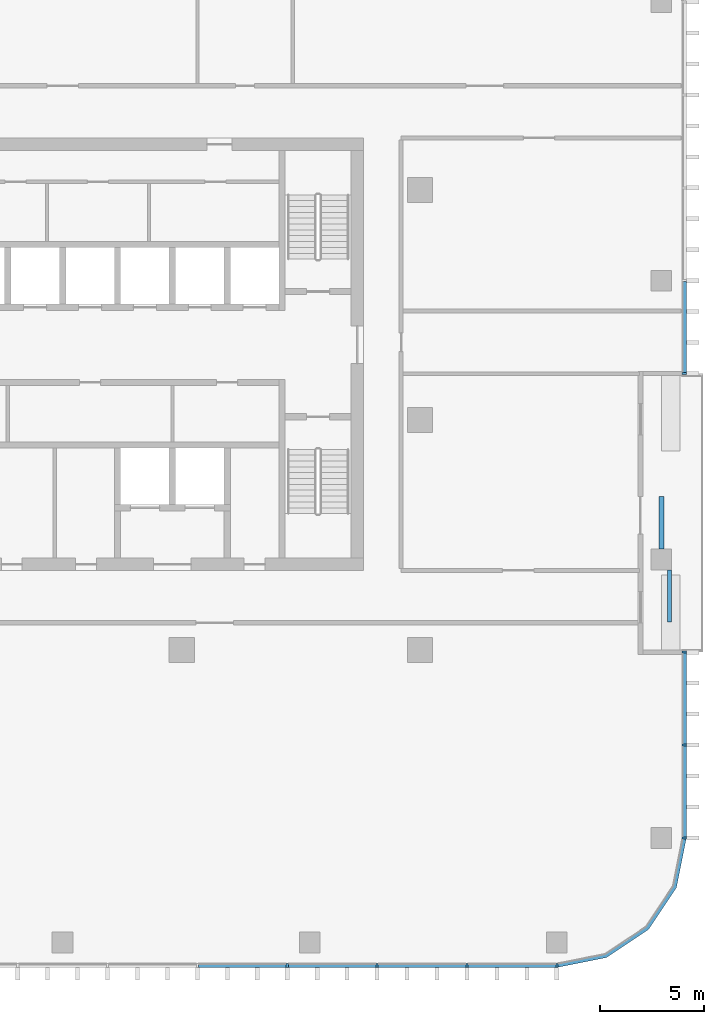
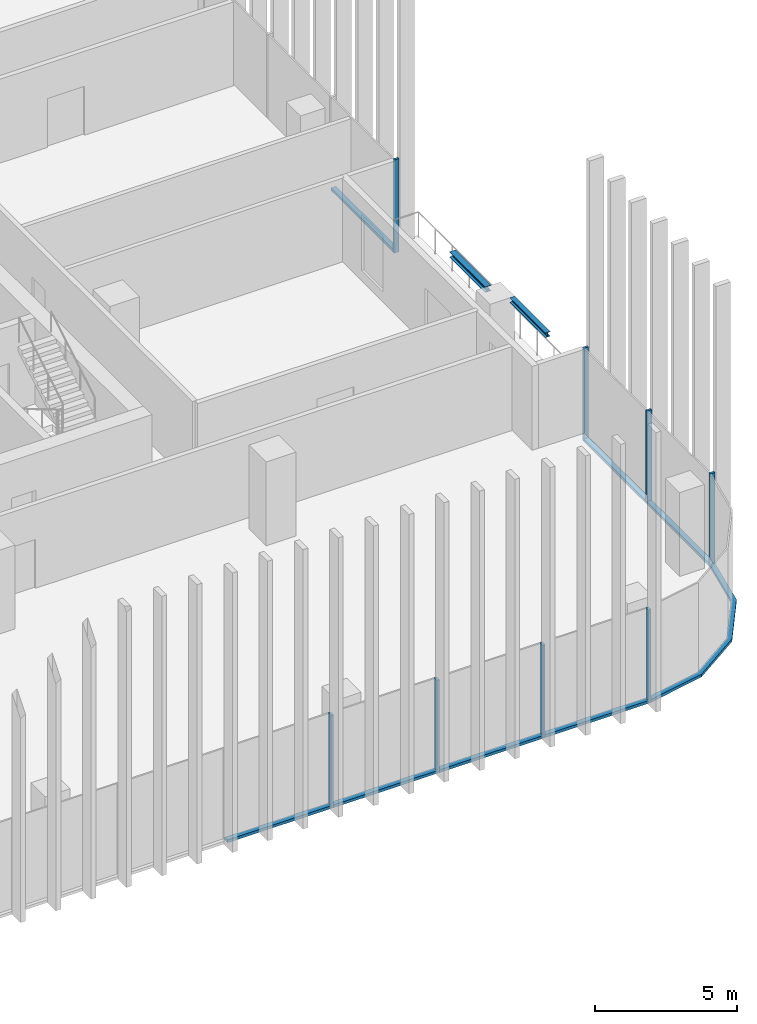
# One storey, part 3 of 16: 16 members, 2 beams, 4 elements without a shape of their own.
"""IFC4 building model written with IfcOpenShell, lengths in metres."""

from ifc_helpers import new_model, si_unit, direction, frame, origin, origin_2d, place, context, subcontext, project, spatial, polyline, rectangle, i_section, outline, extrude, material, material_profile, profile_set, type_object, element, aggregate, save


model = new_model("IFC4")

# Units and contexts
model_context = context("Model", 3, precision=1e-05, world=origin(), true_north=direction((0.0, 1.0)))
body_context = subcontext(model_context, "Body", "Model", "MODEL_VIEW")
ifc_project = project(units=[si_unit("LENGTHUNIT", "METRE"), si_unit("AREAUNIT", "SQUARE_METRE"), si_unit("VOLUMEUNIT", "CUBIC_METRE"), si_unit("PLANEANGLEUNIT", "RADIAN"), si_unit("MASSUNIT", "GRAM", prefix="KILO")], contexts=[model_context])

# Site, building, storey
site_placement = place(None, origin())
site = spatial("IfcSite", under=ifc_project, at=site_placement, CompositionType="ELEMENT")
building_placement = place(site_placement, origin())
building = spatial("IfcBuilding", under=site, at=building_placement, Name="Mopane Tessera Tower", CompositionType="ELEMENT")
storey_placement = place(building_placement, frame((0.0, 0.0, 279.39990234375)))
storey = spatial("IfcBuildingStorey", under=building, at=storey_placement, Name="L60", CompositionType="ELEMENT", Elevation=279.39990234375)

# Curtain wall, members
ifc_material_1 = material(Name="Aluminium frame", Category="aluminium")
curtain_wall_type = type_object("IfcCurtainWallType", Name="Unitised curtain wall", PredefinedType="NOTDEFINED", material=ifc_material_1)
curtain_wall_1_placement = place(storey_placement, origin())
curtain_wall_1 = element("IfcCurtainWall", 1, at=curtain_wall_1_placement, inside=storey, type_object=curtain_wall_type, Name="e:cw:L60:S:0", PredefinedType="NOTDEFINED")
ifc_material_2 = material(Name="Aluminium frame", Category="aluminium")
ifc_material_profile_1 = material_profile(ifc_material_2, rectangle(XDim=0.10009765625, YDim=0.199951171875, at=origin_2d()))
ifc_profile_set_1 = profile_set([ifc_material_profile_1], Name="Aluminium frame")
member_type_1 = type_object("IfcMemberType", Name="Aluminium mullion 100 x 200", PredefinedType="MULLION", material=ifc_profile_set_1)
member_1_placement = place(storey_placement, frame((10.75, -26.10009765625, -0.39990234375), z_axis=(0.0, 0.0, 1.0), x_axis=(1.0, 0.0, 0.0)))
member_1 = element("IfcMember", 2, at=member_1_placement, type_object=member_type_1, Name="e:cw:L60:S:0:mu8", PredefinedType="MULLION", context=body_context, shape_type="SweptSolid", body=[
    extrude(rectangle(XDim=0.10009765625, YDim=0.199951171875, at=origin_2d()), origin(), (0.0, 0.0, 1.0), 4.0),
])
member_2_placement = place(storey_placement, frame((15.050048828125, -26.10009765625, -0.39990234375), z_axis=(0.0, 0.0, 1.0), x_axis=(1.0, 0.0, 0.0)))
member_2 = element("IfcMember", 3, at=member_2_placement, type_object=member_type_1, Name="e:cw:L60:S:0:mu9", PredefinedType="MULLION", context=body_context, shape_type="SweptSolid", body=[
    extrude(rectangle(XDim=0.10009765625, YDim=0.199951171875, at=origin_2d()), origin(), (0.0, 0.0, 1.0), 4.0),
])
member_3_placement = place(storey_placement, frame((19.35009765625, -26.10009765625, -0.39990234375), z_axis=(0.0, 0.0, 1.0), x_axis=(1.0, 0.0, 0.0)))
member_3 = element("IfcMember", 4, at=member_3_placement, type_object=member_type_1, Name="e:cw:L60:S:0:mu10", PredefinedType="MULLION", context=body_context, shape_type="SweptSolid", body=[
    extrude(rectangle(XDim=0.10009765625, YDim=0.199951171875, at=origin_2d()), origin(), (0.0, 0.0, 1.0), 4.0),
])
member_4_placement = place(storey_placement, frame((23.64990234375, -26.10009765625, -0.39990234375), z_axis=(0.0, 0.0, 1.0), x_axis=(1.0, 0.0, 0.0)))
member_4 = element("IfcMember", 5, at=member_4_placement, type_object=member_type_1, Name="e:cw:L60:S:0:mu11", PredefinedType="MULLION", context=body_context, shape_type="SweptSolid", body=[
    extrude(rectangle(XDim=0.10009765625, YDim=0.199951171875, at=origin_2d()), origin(), (0.0, 0.0, 1.0), 4.0),
])

curtain_wall_2_placement = place(storey_placement, origin())
curtain_wall_2 = element("IfcCurtainWall", 6, at=curtain_wall_2_placement, inside=storey, type_object=curtain_wall_type, Name="e:cw:L60:E:0", PredefinedType="NOTDEFINED")
member_5_placement = place(storey_placement, frame((29.75, -20.0, -0.39990234375), z_axis=(0.0, 0.0, 1.0), x_axis=(0.0, 1.0, 0.0)))
member_5 = element("IfcMember", 7, at=member_5_placement, type_object=member_type_1, Name="e:cw:L60:E:0:mu0", PredefinedType="MULLION", context=body_context, shape_type="SweptSolid", body=[
    extrude(rectangle(XDim=0.10009765625, YDim=0.199951171875, at=origin_2d()), origin(), (0.0, 0.0, 1.0), 4.0),
])
member_6_placement = place(storey_placement, frame((29.75, -15.5556640625, -0.39990234375), z_axis=(0.0, 0.0, 1.0), x_axis=(0.0, 1.0, 0.0)))
member_6 = element("IfcMember", 8, at=member_6_placement, type_object=member_type_1, Name="e:cw:L60:E:0:mu1", PredefinedType="MULLION", context=body_context, shape_type="SweptSolid", body=[
    extrude(rectangle(XDim=0.10009765625, YDim=0.199951171875, at=origin_2d()), origin(), (0.0, 0.0, 1.0), 4.0),
])
member_7_placement = place(storey_placement, frame((29.75, -11.111083984375, -0.39990234375), z_axis=(0.0, 0.0, 1.0), x_axis=(0.0, 1.0, 0.0)))
member_7 = element("IfcMember", 9, at=member_7_placement, type_object=member_type_1, Name="e:cw:L60:E:0:mu2", PredefinedType="MULLION", context=body_context, shape_type="SweptSolid", body=[
    extrude(rectangle(XDim=0.10009765625, YDim=0.199951171875, at=origin_2d()), origin(), (0.0, 0.0, 1.0), 4.0),
])

# Curtain wall, member
curtain_wall_3_placement = place(storey_placement, origin())
curtain_wall_3 = element("IfcCurtainWall", 10, at=curtain_wall_3_placement, inside=storey, type_object=curtain_wall_type, Name="e:cw:L60:E:5", PredefinedType="NOTDEFINED")
member_8_placement = place(storey_placement, frame((29.75, 2.22216796875, -0.39990234375), z_axis=(0.0, 0.0, 1.0), x_axis=(0.0, 1.0, 0.0)))
member_8 = element("IfcMember", 11, at=member_8_placement, type_object=member_type_1, Name="e:cw:L60:E:5:mu5", PredefinedType="MULLION", context=body_context, shape_type="SweptSolid", body=[
    extrude(rectangle(XDim=0.10009765625, YDim=0.199951171875, at=origin_2d()), origin(), (0.0, 0.0, 1.0), 4.0),
])

# Member
ifc_material_3 = material(Name="Aluminium frame", Category="aluminium")
ifc_material_profile_2 = material_profile(ifc_material_3, rectangle(XDim=0.199951171875, YDim=0.1201171875, at=origin_2d()))
ifc_profile_set_2 = profile_set([ifc_material_profile_2], Name="Aluminium frame")
member_type_2 = type_object("IfcMemberType", Name="Aluminium transom 200 x 120", PredefinedType="USERDEFINED", material=ifc_profile_set_2)
member_9_placement = place(storey_placement, frame((6.5, -26.10009765625, -0.33984375), z_axis=(1.0, 0.0, 0.0), x_axis=(0.0, 1.0, 0.0)))
member_9 = element("IfcMember", 12, at=member_9_placement, type_object=member_type_2, Name="e:cw:L60:S:0:tr7", ObjectType="TRANSOM", PredefinedType="USERDEFINED", context=body_context, shape_type="SweptSolid", body=[
    extrude(rectangle(XDim=0.199951171875, YDim=0.1201171875, at=origin_2d()), origin(), (0.0, 0.0, 1.0), 4.199951171875),
])

member_10_placement = place(storey_placement, frame((10.800048828125, -26.10009765625, -0.33984375), z_axis=(1.0, 0.0, 0.0), x_axis=(0.0, 1.0, 0.0)))
member_10 = element("IfcMember", 13, at=member_10_placement, type_object=member_type_2, Name="e:cw:L60:S:0:tr8", ObjectType="TRANSOM", PredefinedType="USERDEFINED", context=body_context, shape_type="SweptSolid", body=[
    extrude(rectangle(XDim=0.199951171875, YDim=0.1201171875, at=origin_2d()), origin(), (0.0, 0.0, 1.0), 4.199951171875),
])

member_11_placement = place(storey_placement, frame((15.10009765625, -26.10009765625, -0.33984375), z_axis=(1.0, 0.0, 0.0), x_axis=(0.0, 1.0, 0.0)))
member_11 = element("IfcMember", 14, at=member_11_placement, type_object=member_type_2, Name="e:cw:L60:S:0:tr9", ObjectType="TRANSOM", PredefinedType="USERDEFINED", context=body_context, shape_type="SweptSolid", body=[
    extrude(rectangle(XDim=0.199951171875, YDim=0.1201171875, at=origin_2d()), origin(), (0.0, 0.0, 1.0), 4.199951171875),
])

member_12_placement = place(storey_placement, frame((19.39990234375, -26.10009765625, -0.33984375), z_axis=(1.0, 0.0, 0.0), x_axis=(0.0, 1.0, 0.0)))
member_12 = element("IfcMember", 15, at=member_12_placement, type_object=member_type_2, Name="e:cw:L60:S:0:tr10", ObjectType="TRANSOM", PredefinedType="USERDEFINED", context=body_context, shape_type="SweptSolid", body=[
    extrude(rectangle(XDim=0.199951171875, YDim=0.1201171875, at=origin_2d()), origin(), (0.0, 0.0, 1.0), 4.2001953125),
])

aggregate(curtain_wall_1, [member_1, member_2, member_3, member_4, member_9, member_10, member_11, member_12])

# Curtain wall, member
curtain_wall_4_placement = place(storey_placement, origin())
curtain_wall_4 = element("IfcCurtainWall", 16, at=curtain_wall_4_placement, inside=storey, type_object=curtain_wall_type, Name="e:cw:L60:CS", PredefinedType="NOTDEFINED")
member_13_placement = place(storey_placement, frame((0.0, 0.0, -0.39990234375)))
member_13 = element("IfcMember", 17, at=member_13_placement, type_object=member_type_2, Name="e:cw:L60:CS:tr", ObjectType="TRANSOM", PredefinedType="USERDEFINED", context=body_context, shape_type="SweptSolid", body=[
    extrude(outline(polyline([(23.64990234375, -26.0), (25.946044921875, -25.543212890625), (27.892578125, -24.24267578125), (29.193359375, -22.296142578125), (29.64990234375, -20.0), (29.85009765625, -20.0), (29.378173828125, -22.37255859375), (28.0341796875, -24.384033203125), (26.022705078125, -25.72802734375), (23.64990234375, -26.199951171875), (23.64990234375, -26.0)])), origin(), (0.0, 0.0, 1.0), 0.1201171875),
])
aggregate(curtain_wall_4, [member_13])

# Member
member_14_placement = place(storey_placement, frame((29.75, -19.949951171875, -0.33984375), z_axis=(0.0, 1.0, 0.0), x_axis=(-1.0, 0.0, 0.0)))
member_14 = element("IfcMember", 18, at=member_14_placement, type_object=member_type_2, Name="e:cw:L60:E:0:tr0", ObjectType="TRANSOM", PredefinedType="USERDEFINED", context=body_context, shape_type="SweptSolid", body=[
    extrude(rectangle(XDim=0.199951171875, YDim=0.1201171875, at=origin_2d()), origin(), (0.0, 0.0, 1.0), 4.344482421875),
])

member_15_placement = place(storey_placement, frame((29.75, -15.505615234375, -0.33984375), z_axis=(0.0, 1.0, 0.0), x_axis=(-1.0, 0.0, 0.0)))
member_15 = element("IfcMember", 19, at=member_15_placement, type_object=member_type_2, Name="e:cw:L60:E:0:tr1", ObjectType="TRANSOM", PredefinedType="USERDEFINED", context=body_context, shape_type="SweptSolid", body=[
    extrude(rectangle(XDim=0.199951171875, YDim=0.1201171875, at=origin_2d()), origin(), (0.0, 0.0, 1.0), 4.344482421875),
])

aggregate(curtain_wall_2, [member_5, member_6, member_7, member_14, member_15])

member_16_placement = place(storey_placement, frame((29.75, 2.272216796875, -0.33984375), z_axis=(0.0, 1.0, 0.0), x_axis=(-1.0, 0.0, 0.0)))
member_16 = element("IfcMember", 20, at=member_16_placement, type_object=member_type_2, Name="e:cw:L60:E:5:tr5", ObjectType="TRANSOM", PredefinedType="USERDEFINED", context=body_context, shape_type="SweptSolid", body=[
    extrude(rectangle(XDim=0.199951171875, YDim=0.1201171875, at=origin_2d()), origin(), (0.0, 0.0, 1.0), 4.344482421875),
])

aggregate(curtain_wall_3, [member_8, member_16])

# Beams
ifc_material_4 = material(Name="Structural steel S460", Category="steel")
ifc_material_profile_3 = material_profile(ifc_material_4, i_section(OverallWidth=0.239990234375, OverallDepth=0.239990234375, WebThickness=0.010009765625, FlangeThickness=0.01708984375, FilletRadius=0.02099609375, at=origin_2d()))
ifc_profile_set_3 = profile_set([ifc_material_profile_3], Name="Structural steel S460")
beam_type_1 = type_object("IfcBeamType", Name="Terrace spandrel beam HE 240 B", PredefinedType="SPANDREL", material=ifc_profile_set_3)
beam_1_placement = place(storey_placement, frame((28.64990234375, -6.163818359375, 3.47998046875), z_axis=(0.0, 1.0, 0.0), x_axis=(-1.0, 0.0, 0.0)))
element("IfcBeam", 21, at=beam_1_placement, inside=storey, type_object=beam_type_1, Name="Terrace spandrel beam N1 L61", PredefinedType="SPANDREL", context=body_context, shape_type="SweptSolid", body=[
    extrude(i_section(OverallWidth=0.239990234375, OverallDepth=0.239990234375, WebThickness=0.010009765625, FlangeThickness=0.01708984375, FilletRadius=0.02099609375, at=origin_2d()), origin(), (0.0, 0.0, 1.0), 2.5),
])
ifc_material_5 = material(Name="Structural steel S460", Category="steel")
ifc_material_profile_4 = material_profile(ifc_material_5, i_section(OverallWidth=0.199951171875, OverallDepth=0.199951171875, WebThickness=0.009033203125, FlangeThickness=0.014892578125, FilletRadius=0.01806640625, at=origin_2d()))
ifc_profile_set_4 = profile_set([ifc_material_profile_4], Name="Structural steel S460")
beam_type_2 = type_object("IfcBeamType", Name="Terrace trimmer beam HE 200 B", PredefinedType="BEAM", material=ifc_profile_set_4)
beam_2_placement = place(storey_placement, frame((29.0498046875, -7.169677734375, 3.5), z_axis=(0.0, -1.0, 0.0), x_axis=(1.0, 0.0, 0.0)))
element("IfcBeam", 22, at=beam_2_placement, inside=storey, type_object=beam_type_2, Name="Terrace trimmer beam N1 L61", PredefinedType="BEAM", context=body_context, shape_type="SweptSolid", body=[
    extrude(i_section(OverallWidth=0.199951171875, OverallDepth=0.199951171875, WebThickness=0.009033203125, FlangeThickness=0.014892578125, FilletRadius=0.01806640625, at=origin_2d()), origin(), (0.0, 0.0, 1.0), 2.5),
])

save(model, "model.ifc")
